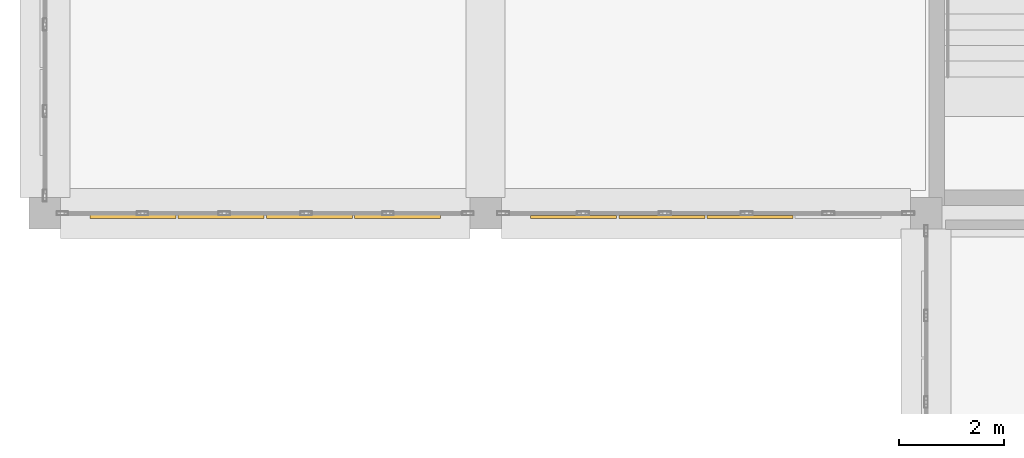
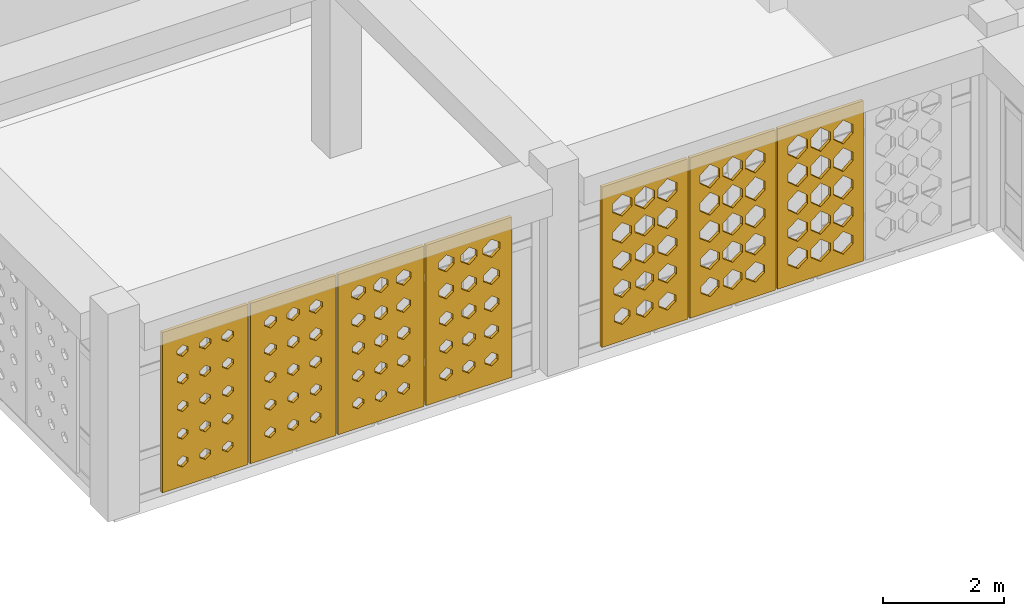
# One storey, part 34 of 48: 7 coverings.
"""IFC4 building model written with IfcOpenShell, lengths in metres."""

from ifc_helpers import new_model, si_unit, derived_unit, direction, frame, origin, place, context, subcontext, project, spatial, polyline, outline, extrude, material, layer, layer_set, type_object, element, save


model = new_model("IFC4")

# Units and contexts
model_context = context("Model", 3, precision=1e-05, world=origin(), true_north=direction((0.0, 1.0)))
body_context = subcontext(model_context, "Body", "Model", "MODEL_VIEW")
ifc_project = project(units=[si_unit("LENGTHUNIT", "METRE"), si_unit("AREAUNIT", "SQUARE_METRE"), si_unit("VOLUMEUNIT", "CUBIC_METRE"), si_unit("PLANEANGLEUNIT", "RADIAN"), si_unit("MASSUNIT", "GRAM", prefix="KILO"), derived_unit("THERMALTRANSMITTANCEUNIT", [(si_unit("POWERUNIT", "WATT"), 1), (si_unit("LENGTHUNIT", "METRE"), -2), (si_unit("THERMODYNAMICTEMPERATUREUNIT", "KELVIN"), -1)])], contexts=[model_context])

# Site, building, storey
site_placement = place(None, origin())
site = spatial("IfcSite", under=ifc_project, at=site_placement, CompositionType="ELEMENT")
building_placement = place(site_placement, origin())
building = spatial("IfcBuilding", under=site, at=building_placement, Name="Veybourne Emporium", CompositionType="ELEMENT")
storey_placement = place(building_placement, frame((0.0, 0.0, 27.89990234375)))
storey = spatial("IfcBuildingStorey", under=building, at=storey_placement, Name="L06", CompositionType="ELEMENT", Elevation=27.89990234375)

# Coverings
ifc_material = material(Name="Warm-White Perforated Aluminium Screen Alloy", Category="aluminium")
ifc_layer_1 = layer(ifc_material, 0.06005859375)
ifc_layer_set_1 = layer_set([ifc_layer_1], Name="Warm-White Perforated Aluminium Screen Alloy")
covering_type_1 = type_object("IfcCoveringType", Name="WaveScreen_SCR-01", PredefinedType="CLADDING", material=ifc_layer_set_1)
covering_1_placement = place(storey_placement, frame((6.719970703125, 14.305908203125, 1.68017578125), z_axis=(0.0, 1.0, 0.0), x_axis=(-1.0, 0.0, 0.0)))
element("IfcCovering", 1, at=covering_1_placement, inside=storey, type_object=covering_type_1, Name="L06 wave-perforated aluminium screen SCR-01 (1C.1)", PredefinedType="CLADDING", context=body_context, shape_type="SweptSolid", body=[
    extrude(outline(polyline([(-0.81982421875, -1.6201171875), (0.81982421875, -1.6201171875), (0.81982421875, 1.6201171875), (-0.81982421875, 1.6201171875), (-0.81982421875, -1.6201171875)]), holes=[polyline([(-0.433349609375, -0.982421875), (-0.310791015625, -1.070556640625), (-0.310791015625, -1.16943359375), (-0.433349609375, -1.257568359375), (-0.555908203125, -1.16943359375), (-0.555908203125, -1.070556640625), (-0.433349609375, -0.982421875)]), polyline([(-0.433349609375, -0.412109375), (-0.302490234375, -0.5068359375), (-0.302490234375, -0.61328125), (-0.433349609375, -0.707763671875), (-0.564208984375, -0.61328125), (-0.564208984375, -0.5068359375), (-0.433349609375, -0.412109375)]), polyline([(-0.433349609375, 0.1591796875), (-0.293212890625, 0.057373046875), (-0.293212890625, -0.057373046875), (-0.433349609375, -0.1591796875), (-0.573486328125, -0.057373046875), (-0.573486328125, 0.057373046875), (-0.433349609375, 0.1591796875)]), polyline([(-0.433349609375, 0.7314453125), (-0.283203125, 0.62158203125), (-0.283203125, 0.498291015625), (-0.433349609375, 0.388671875), (-0.58349609375, 0.498291015625), (-0.58349609375, 0.62158203125), (-0.433349609375, 0.7314453125)]), polyline([(-0.433349609375, 1.30419921875), (-0.272705078125, 1.186279296875), (-0.272705078125, 1.0537109375), (-0.433349609375, 0.935791015625), (-0.593994140625, 1.0537109375), (-0.593994140625, 1.186279296875), (-0.433349609375, 1.30419921875)]), polyline([(0.0, -0.987060546875), (0.11865234375, -1.072265625), (0.11865234375, -1.167724609375), (0.0, -1.2529296875), (-0.11865234375, -1.167724609375), (-0.11865234375, -1.072265625), (0.0, -0.987060546875)]), polyline([(0.0, -0.41748046875), (0.126708984375, -0.5087890625), (0.126708984375, -0.611328125), (0.0, -0.702392578125), (-0.126708984375, -0.611328125), (-0.126708984375, -0.5087890625), (0.0, -0.41748046875)]), polyline([(0.0, 0.1533203125), (0.135498046875, 0.05517578125), (0.135498046875, -0.05517578125), (0.0, -0.1533203125), (-0.135498046875, -0.05517578125), (-0.135498046875, 0.05517578125), (0.0, 0.1533203125)]), polyline([(0.0, 0.72509765625), (0.145263671875, 0.619384765625), (0.145263671875, 0.50048828125), (0.0, 0.394775390625), (-0.145263671875, 0.50048828125), (-0.145263671875, 0.619384765625), (0.0, 0.72509765625)]), polyline([(0.0, 1.297607421875), (0.155517578125, 1.18408203125), (0.155517578125, 1.055908203125), (0.0, 0.9423828125), (-0.155517578125, 1.055908203125), (-0.155517578125, 1.18408203125), (0.0, 1.297607421875)]), polyline([(0.433349609375, -0.991455078125), (0.548583984375, -1.07373046875), (0.548583984375, -1.166259765625), (0.433349609375, -1.24853515625), (0.318115234375, -1.166259765625), (0.318115234375, -1.07373046875), (0.433349609375, -0.991455078125)]), polyline([(0.433349609375, -0.42236328125), (0.555908203125, -0.510498046875), (0.555908203125, -0.609619140625), (0.433349609375, -0.697509765625), (0.310791015625, -0.609619140625), (0.310791015625, -0.510498046875), (0.433349609375, -0.42236328125)]), polyline([(0.433349609375, 0.147705078125), (0.564208984375, 0.05322265625), (0.564208984375, -0.05322265625), (0.433349609375, -0.147705078125), (0.302490234375, -0.05322265625), (0.302490234375, 0.05322265625), (0.433349609375, 0.147705078125)]), polyline([(0.433349609375, 0.71923828125), (0.573486328125, 0.6171875), (0.573486328125, 0.502685546875), (0.433349609375, 0.40087890625), (0.293212890625, 0.502685546875), (0.293212890625, 0.6171875), (0.433349609375, 0.71923828125)]), polyline([(0.433349609375, 1.29150390625), (0.58349609375, 1.181640625), (0.58349609375, 1.058349609375), (0.433349609375, 0.948486328125), (0.283203125, 1.058349609375), (0.283203125, 1.181640625), (0.433349609375, 1.29150390625)])]), origin(), (0.0, 0.0, 1.0), 0.06005859375),
])
covering_2_placement = place(storey_placement, frame((13.43994140625, 14.302978515625, 1.68017578125), z_axis=(0.0, 1.0, 0.0), x_axis=(-1.0, 0.0, 0.0)))
element("IfcCovering", 2, at=covering_2_placement, inside=storey, type_object=covering_type_1, Name="L06 wave-perforated aluminium screen SCR-01 (8C.2)", PredefinedType="CLADDING", context=body_context, shape_type="SweptSolid", body=[
    extrude(outline(polyline([(-0.81982421875, -1.6201171875), (0.81982421875, -1.6201171875), (0.81982421875, 1.6201171875), (-0.81982421875, 1.6201171875), (-0.81982421875, -1.6201171875)]), holes=[polyline([(-0.433349609375, -0.889404296875), (-0.2470703125, -1.037109375), (-0.2470703125, -1.202880859375), (-0.433349609375, -1.3505859375), (-0.61962890625, -1.202880859375), (-0.61962890625, -1.037109375), (-0.433349609375, -0.889404296875)]), polyline([(-0.433349609375, -0.319091796875), (-0.2470703125, -0.473388671875), (-0.2470703125, -0.646728515625), (-0.433349609375, -0.80078125), (-0.61962890625, -0.646728515625), (-0.61962890625, -0.473388671875), (-0.433349609375, -0.319091796875)]), polyline([(-0.433349609375, 0.24072265625), (-0.2470703125, 0.086669921875), (-0.2470703125, -0.086669921875), (-0.433349609375, -0.24072265625), (-0.61962890625, -0.086669921875), (-0.61962890625, 0.086669921875), (-0.433349609375, 0.24072265625)]), polyline([(-0.433349609375, 0.80078125), (-0.2470703125, 0.646728515625), (-0.2470703125, 0.473388671875), (-0.433349609375, 0.319091796875), (-0.61962890625, 0.473388671875), (-0.61962890625, 0.646728515625), (-0.433349609375, 0.80078125)]), polyline([(-0.433349609375, 1.36083984375), (-0.2470703125, 1.206787109375), (-0.2470703125, 1.033203125), (-0.433349609375, 0.879150390625), (-0.61962890625, 1.033203125), (-0.61962890625, 1.206787109375), (-0.433349609375, 1.36083984375)]), polyline([(0.0, -0.895263671875), (0.186279296875, -1.0390625), (0.186279296875, -1.200927734375), (0.0, -1.3447265625), (-0.186279296875, -1.200927734375), (-0.186279296875, -1.0390625), (0.0, -0.895263671875)]), polyline([(0.0, -0.32373046875), (0.186279296875, -0.47509765625), (0.186279296875, -0.64501953125), (0.0, -0.796142578125), (-0.186279296875, -0.64501953125), (-0.186279296875, -0.47509765625), (0.0, -0.32373046875)]), polyline([(0.0, 0.24072265625), (0.186279296875, 0.086669921875), (0.186279296875, -0.086669921875), (0.0, -0.24072265625), (-0.186279296875, -0.086669921875), (-0.186279296875, 0.086669921875), (0.0, 0.24072265625)]), polyline([(0.0, 0.80078125), (0.186279296875, 0.646728515625), (0.186279296875, 0.473388671875), (0.0, 0.319091796875), (-0.186279296875, 0.473388671875), (-0.186279296875, 0.646728515625), (0.0, 0.80078125)]), polyline([(0.0, 1.36083984375), (0.186279296875, 1.206787109375), (0.186279296875, 1.033203125), (0.0, 0.879150390625), (-0.186279296875, 1.033203125), (-0.186279296875, 1.206787109375), (0.0, 1.36083984375)]), polyline([(0.433349609375, -0.9013671875), (0.61962890625, -1.041259765625), (0.61962890625, -1.19873046875), (0.433349609375, -1.338623046875), (0.2470703125, -1.19873046875), (0.2470703125, -1.041259765625), (0.433349609375, -0.9013671875)]), polyline([(0.433349609375, -0.329345703125), (0.61962890625, -0.47705078125), (0.61962890625, -0.64306640625), (0.433349609375, -0.79052734375), (0.2470703125, -0.64306640625), (0.2470703125, -0.47705078125), (0.433349609375, -0.329345703125)]), polyline([(0.433349609375, 0.24072265625), (0.61962890625, 0.086669921875), (0.61962890625, -0.086669921875), (0.433349609375, -0.24072265625), (0.2470703125, -0.086669921875), (0.2470703125, 0.086669921875), (0.433349609375, 0.24072265625)]), polyline([(0.433349609375, 0.80078125), (0.61962890625, 0.646728515625), (0.61962890625, 0.473388671875), (0.433349609375, 0.319091796875), (0.2470703125, 0.473388671875), (0.2470703125, 0.646728515625), (0.433349609375, 0.80078125)]), polyline([(0.433349609375, 1.36083984375), (0.61962890625, 1.206787109375), (0.61962890625, 1.033203125), (0.433349609375, 0.879150390625), (0.2470703125, 1.033203125), (0.2470703125, 1.206787109375), (0.433349609375, 1.36083984375)])]), origin(), (0.0, 0.0, 1.0), 0.06005859375),
])
ifc_layer_2 = layer(ifc_material, 0.06005859375)
ifc_layer_set_2 = layer_set([ifc_layer_2], Name="Warm-White Perforated Aluminium Screen Alloy")
covering_type_2 = type_object("IfcCoveringType", Name="WaveScreen_SCR-02", PredefinedType="CLADDING", material=ifc_layer_set_2)
covering_3_placement = place(storey_placement, frame((5.0400390625, 14.305908203125, 1.68017578125), z_axis=(0.0, 1.0, 0.0), x_axis=(-1.0, 0.0, 0.0)))
element("IfcCovering", 3, at=covering_3_placement, inside=storey, type_object=covering_type_2, Name="L06 wave-perforated aluminium screen SCR-02 (1C.2)", PredefinedType="CLADDING", context=body_context, shape_type="SweptSolid", body=[
    extrude(outline(polyline([(-0.81982421875, -1.6201171875), (0.81982421875, -1.6201171875), (0.81982421875, 1.6201171875), (-0.81982421875, 1.6201171875), (-0.81982421875, -1.6201171875)]), holes=[polyline([(-0.433349609375, -0.998291015625), (-0.32373046875, -1.076171875), (-0.32373046875, -1.163818359375), (-0.433349609375, -1.24169921875), (-0.54296875, -1.163818359375), (-0.54296875, -1.076171875), (-0.433349609375, -0.998291015625)]), polyline([(-0.433349609375, -0.430908203125), (-0.317626953125, -0.513427734375), (-0.317626953125, -0.6064453125), (-0.433349609375, -0.689208984375), (-0.549072265625, -0.6064453125), (-0.549072265625, -0.513427734375), (-0.433349609375, -0.430908203125)]), polyline([(-0.433349609375, 0.13818359375), (-0.310302734375, 0.0498046875), (-0.310302734375, -0.0498046875), (-0.433349609375, -0.13818359375), (-0.556396484375, -0.0498046875), (-0.556396484375, 0.0498046875), (-0.433349609375, 0.13818359375)]), polyline([(-0.433349609375, 0.70849609375), (-0.3017578125, 0.613525390625), (-0.3017578125, 0.506591796875), (-0.433349609375, 0.411376953125), (-0.56494140625, 0.506591796875), (-0.56494140625, 0.613525390625), (-0.433349609375, 0.70849609375)]), polyline([(-0.433349609375, 1.280029296875), (-0.29248046875, 1.177490234375), (-0.29248046875, 1.0625), (-0.433349609375, 0.9599609375), (-0.57421875, 1.0625), (-0.57421875, 1.177490234375), (-0.433349609375, 1.280029296875)]), polyline([(0.0, -1.00146484375), (0.10693359375, -1.077392578125), (0.10693359375, -1.16259765625), (0.0, -1.238525390625), (-0.10693359375, -1.16259765625), (-0.10693359375, -1.077392578125), (0.0, -1.00146484375)]), polyline([(0.0, -0.434814453125), (0.112548828125, -0.514892578125), (0.112548828125, -0.60498046875), (0.0, -0.685302734375), (-0.112548828125, -0.60498046875), (-0.112548828125, -0.514892578125), (0.0, -0.434814453125)]), polyline([(0.0, 0.133544921875), (0.119384765625, 0.048095703125), (0.119384765625, -0.048095703125), (0.0, -0.133544921875), (-0.119384765625, -0.048095703125), (-0.119384765625, 0.048095703125), (0.0, 0.133544921875)]), polyline([(0.0, 0.703369140625), (0.127197265625, 0.611572265625), (0.127197265625, 0.50830078125), (0.0, 0.416748046875), (-0.127197265625, 0.50830078125), (-0.127197265625, 0.611572265625), (0.0, 0.703369140625)]), polyline([(0.0, 1.274169921875), (0.13623046875, 1.175537109375), (0.13623046875, 1.064453125), (0.0, 0.9658203125), (-0.13623046875, 1.064453125), (-0.13623046875, 1.175537109375), (0.0, 1.274169921875)]), polyline([(0.433349609375, -1.00390625), (0.5380859375, -1.078125), (0.5380859375, -1.161865234375), (0.433349609375, -1.236083984375), (0.328369140625, -1.161865234375), (0.328369140625, -1.078125), (0.433349609375, -1.00390625)]), polyline([(0.433349609375, -0.438232421875), (0.54296875, -0.51611328125), (0.54296875, -0.603759765625), (0.433349609375, -0.681640625), (0.32373046875, -0.603759765625), (0.32373046875, -0.51611328125), (0.433349609375, -0.438232421875)]), polyline([(0.433349609375, 0.129150390625), (0.549072265625, 0.04638671875), (0.549072265625, -0.04638671875), (0.433349609375, -0.129150390625), (0.317626953125, -0.04638671875), (0.317626953125, 0.04638671875), (0.433349609375, 0.129150390625)]), polyline([(0.433349609375, 0.6982421875), (0.556396484375, 0.60986328125), (0.556396484375, 0.51025390625), (0.433349609375, 0.421630859375), (0.310302734375, 0.51025390625), (0.310302734375, 0.60986328125), (0.433349609375, 0.6982421875)]), polyline([(0.433349609375, 1.2685546875), (0.56494140625, 1.173583984375), (0.56494140625, 1.06640625), (0.433349609375, 0.971435546875), (0.3017578125, 1.06640625), (0.3017578125, 1.173583984375), (0.433349609375, 1.2685546875)])]), origin(), (0.0, 0.0, 1.0), 0.06005859375),
])
covering_4_placement = place(storey_placement, frame((11.760009765625, 14.302978515625, 1.68017578125), z_axis=(0.0, 1.0, 0.0), x_axis=(-1.0, 0.0, 0.0)))
element("IfcCovering", 4, at=covering_4_placement, inside=storey, type_object=covering_type_2, Name="L06 wave-perforated aluminium screen SCR-02 (8C.3)", PredefinedType="CLADDING", context=body_context, shape_type="SweptSolid", body=[
    extrude(outline(polyline([(-0.81982421875, -1.6201171875), (0.81982421875, -1.6201171875), (0.81982421875, 1.6201171875), (-0.81982421875, 1.6201171875), (-0.81982421875, -1.6201171875)]), holes=[polyline([(-0.433349609375, -0.9130859375), (-0.25390625, -1.04541015625), (-0.25390625, -1.194580078125), (-0.433349609375, -1.326904296875), (-0.61279296875, -1.194580078125), (-0.61279296875, -1.04541015625), (-0.433349609375, -0.9130859375)]), polyline([(-0.433349609375, -0.340576171875), (-0.2470703125, -0.48095703125), (-0.2470703125, -0.638916015625), (-0.433349609375, -0.779541015625), (-0.61962890625, -0.638916015625), (-0.61962890625, -0.48095703125), (-0.433349609375, -0.340576171875)]), polyline([(-0.433349609375, 0.2314453125), (-0.2470703125, 0.083251953125), (-0.2470703125, -0.083251953125), (-0.433349609375, -0.2314453125), (-0.61962890625, -0.083251953125), (-0.61962890625, 0.083251953125), (-0.433349609375, 0.2314453125)]), polyline([(-0.433349609375, 0.80078125), (-0.2470703125, 0.646728515625), (-0.2470703125, 0.473388671875), (-0.433349609375, 0.319091796875), (-0.61962890625, 0.473388671875), (-0.61962890625, 0.646728515625), (-0.433349609375, 0.80078125)]), polyline([(-0.433349609375, 1.36083984375), (-0.2470703125, 1.206787109375), (-0.2470703125, 1.033203125), (-0.433349609375, 0.879150390625), (-0.61962890625, 1.033203125), (-0.61962890625, 1.206787109375), (-0.433349609375, 1.36083984375)]), polyline([(0.0, -0.919189453125), (0.17431640625, -1.0478515625), (0.17431640625, -1.192138671875), (0.0, -1.32080078125), (-0.17431640625, -1.192138671875), (-0.17431640625, -1.0478515625), (0.0, -0.919189453125)]), polyline([(0.0, -0.3466796875), (0.1845703125, -0.483154296875), (0.1845703125, -0.63671875), (0.0, -0.7734375), (-0.1845703125, -0.63671875), (-0.1845703125, -0.483154296875), (0.0, -0.3466796875)]), polyline([(0.0, 0.2255859375), (0.186279296875, 0.081298828125), (0.186279296875, -0.081298828125), (0.0, -0.2255859375), (-0.186279296875, -0.081298828125), (-0.186279296875, 0.081298828125), (0.0, 0.2255859375)]), polyline([(0.0, 0.797119140625), (0.186279296875, 0.645263671875), (0.186279296875, 0.474609375), (0.0, 0.322998046875), (-0.186279296875, 0.474609375), (-0.186279296875, 0.645263671875), (0.0, 0.797119140625)]), polyline([(0.0, 1.36083984375), (0.186279296875, 1.206787109375), (0.186279296875, 1.033203125), (0.0, 0.879150390625), (-0.186279296875, 1.033203125), (-0.186279296875, 1.206787109375), (0.0, 1.36083984375)]), polyline([(0.433349609375, -0.92578125), (0.602294921875, -1.050048828125), (0.602294921875, -1.18994140625), (0.433349609375, -1.314208984375), (0.264404296875, -1.18994140625), (0.264404296875, -1.050048828125), (0.433349609375, -0.92578125)]), polyline([(0.433349609375, -0.352783203125), (0.61279296875, -0.4853515625), (0.61279296875, -0.634521484375), (0.433349609375, -0.76708984375), (0.25390625, -0.634521484375), (0.25390625, -0.4853515625), (0.433349609375, -0.352783203125)]), polyline([(0.433349609375, 0.219482421875), (0.61962890625, 0.0791015625), (0.61962890625, -0.0791015625), (0.433349609375, -0.219482421875), (0.2470703125, -0.0791015625), (0.2470703125, 0.0791015625), (0.433349609375, 0.219482421875)]), polyline([(0.433349609375, 0.79150390625), (0.61962890625, 0.643310546875), (0.61962890625, 0.476806640625), (0.433349609375, 0.32861328125), (0.2470703125, 0.476806640625), (0.2470703125, 0.643310546875), (0.433349609375, 0.79150390625)]), polyline([(0.433349609375, 1.36083984375), (0.61962890625, 1.206787109375), (0.61962890625, 1.033203125), (0.433349609375, 0.879150390625), (0.2470703125, 1.033203125), (0.2470703125, 1.206787109375), (0.433349609375, 1.36083984375)])]), origin(), (0.0, 0.0, 1.0), 0.06005859375),
])
ifc_layer_3 = layer(ifc_material, 0.06005859375)
ifc_layer_set_3 = layer_set([ifc_layer_3], Name="Warm-White Perforated Aluminium Screen Alloy")
covering_type_3 = type_object("IfcCoveringType", Name="WaveScreen_SCR-03", PredefinedType="CLADDING", material=ifc_layer_set_3)
covering_5_placement = place(storey_placement, frame((3.360107421875, 14.305908203125, 1.68017578125), z_axis=(0.0, 1.0, 0.0), x_axis=(-1.0, 0.0, 0.0)))
element("IfcCovering", 5, at=covering_5_placement, inside=storey, type_object=covering_type_3, Name="L06 wave-perforated aluminium screen SCR-03 (1C.3)", PredefinedType="CLADDING", context=body_context, shape_type="SweptSolid", body=[
    extrude(outline(polyline([(-0.81982421875, -1.6201171875), (0.81982421875, -1.6201171875), (0.81982421875, 1.6201171875), (-0.81982421875, 1.6201171875), (-0.81982421875, -1.6201171875)]), holes=[polyline([(-0.433349609375, -1.0078125), (-0.33154296875, -1.07958984375), (-0.33154296875, -1.160400390625), (-0.433349609375, -1.232421875), (-0.53515625, -1.160400390625), (-0.53515625, -1.07958984375), (-0.433349609375, -1.0078125)]), polyline([(-0.433349609375, -0.443603515625), (-0.328125, -0.51806640625), (-0.328125, -0.601806640625), (-0.433349609375, -0.67626953125), (-0.53857421875, -0.601806640625), (-0.53857421875, -0.51806640625), (-0.433349609375, -0.443603515625)]), polyline([(-0.433349609375, 0.122314453125), (-0.323486328125, 0.0439453125), (-0.323486328125, -0.0439453125), (-0.433349609375, -0.122314453125), (-0.543212890625, -0.0439453125), (-0.543212890625, 0.0439453125), (-0.433349609375, 0.122314453125)]), polyline([(-0.433349609375, 0.689697265625), (-0.317138671875, 0.606689453125), (-0.317138671875, 0.51318359375), (-0.433349609375, 0.43017578125), (-0.549560546875, 0.51318359375), (-0.549560546875, 0.606689453125), (-0.433349609375, 0.689697265625)]), polyline([(-0.433349609375, 1.2587890625), (-0.309814453125, 1.169921875), (-0.309814453125, 1.070068359375), (-0.433349609375, 0.981201171875), (-0.556884765625, 1.070068359375), (-0.556884765625, 1.169921875), (-0.433349609375, 1.2587890625)]), polyline([(0.0, -1.009033203125), (0.100830078125, -1.080078125), (0.100830078125, -1.159912109375), (0.0, -1.23095703125), (-0.100830078125, -1.159912109375), (-0.100830078125, -1.080078125), (0.0, -1.009033203125)]), polyline([(0.0, -0.44580078125), (0.103271484375, -0.518798828125), (0.103271484375, -0.60107421875), (0.0, -0.674072265625), (-0.103271484375, -0.60107421875), (-0.103271484375, -0.518798828125), (0.0, -0.44580078125)]), polyline([(0.0, 0.118896484375), (0.107421875, 0.042724609375), (0.107421875, -0.042724609375), (0.0, -0.118896484375), (-0.107421875, -0.042724609375), (-0.107421875, 0.042724609375), (0.0, 0.118896484375)]), polyline([(0.0, 0.685791015625), (0.11279296875, 0.605224609375), (0.11279296875, 0.5146484375), (0.0, 0.43408203125), (-0.11279296875, 0.5146484375), (-0.11279296875, 0.605224609375), (0.0, 0.685791015625)]), polyline([(0.0, 1.254150390625), (0.119873046875, 1.168212890625), (0.119873046875, 1.07177734375), (0.0, 0.98583984375), (-0.119873046875, 1.07177734375), (-0.119873046875, 1.168212890625), (0.0, 1.254150390625)]), polyline([(0.433349609375, -1.009765625), (0.53369140625, -1.080322265625), (0.53369140625, -1.15966796875), (0.433349609375, -1.230224609375), (0.3330078125, -1.15966796875), (0.3330078125, -1.080322265625), (0.433349609375, -1.009765625)]), polyline([(0.433349609375, -0.44775390625), (0.53515625, -0.51953125), (0.53515625, -0.600341796875), (0.433349609375, -0.67236328125), (0.331298828125, -0.600341796875), (0.331298828125, -0.51953125), (0.433349609375, -0.44775390625)]), polyline([(0.433349609375, 0.1162109375), (0.53857421875, 0.0419921875), (0.53857421875, -0.0419921875), (0.433349609375, -0.1162109375), (0.328125, -0.0419921875), (0.328125, 0.0419921875), (0.433349609375, 0.1162109375)]), polyline([(0.433349609375, 0.68212890625), (0.543212890625, 0.60400390625), (0.543212890625, 0.51611328125), (0.433349609375, 0.437744140625), (0.3232421875, 0.51611328125), (0.3232421875, 0.60400390625), (0.433349609375, 0.68212890625)]), polyline([(0.433349609375, 1.249755859375), (0.549560546875, 1.166748046875), (0.549560546875, 1.0732421875), (0.433349609375, 0.990234375), (0.317138671875, 1.0732421875), (0.317138671875, 1.166748046875), (0.433349609375, 1.249755859375)])]), origin(), (0.0, 0.0, 1.0), 0.06005859375),
])
covering_6_placement = place(storey_placement, frame((10.080078125, 14.302978515625, 1.68017578125), z_axis=(0.0, 1.0, 0.0), x_axis=(-1.0, 0.0, 0.0)))
element("IfcCovering", 6, at=covering_6_placement, inside=storey, type_object=covering_type_3, Name="L06 wave-perforated aluminium screen SCR-03 (8C.4)", PredefinedType="CLADDING", context=body_context, shape_type="SweptSolid", body=[
    extrude(outline(polyline([(-0.81982421875, -1.6201171875), (0.81982421875, -1.6201171875), (0.81982421875, 1.6201171875), (-0.81982421875, 1.6201171875), (-0.81982421875, -1.6201171875)]), holes=[polyline([(-0.433349609375, -0.937744140625), (-0.2744140625, -1.054443359375), (-0.2744140625, -1.185546875), (-0.433349609375, -1.30224609375), (-0.59228515625, -1.185546875), (-0.59228515625, -1.054443359375), (-0.433349609375, -0.937744140625)]), polyline([(-0.433349609375, -0.364990234375), (-0.263671875, -0.48974609375), (-0.263671875, -0.630126953125), (-0.433349609375, -0.755126953125), (-0.60302734375, -0.630126953125), (-0.60302734375, -0.48974609375), (-0.433349609375, -0.364990234375)]), polyline([(-0.433349609375, 0.2080078125), (-0.253173828125, 0.074951171875), (-0.253173828125, -0.074951171875), (-0.433349609375, -0.2080078125), (-0.613525390625, -0.074951171875), (-0.613525390625, 0.074951171875), (-0.433349609375, 0.2080078125)]), polyline([(-0.433349609375, 0.780517578125), (-0.2470703125, 0.639404296875), (-0.2470703125, 0.480712890625), (-0.433349609375, 0.339599609375), (-0.61962890625, 0.480712890625), (-0.61962890625, 0.639404296875), (-0.433349609375, 0.780517578125)]), polyline([(-0.433349609375, 1.352294921875), (-0.2470703125, 1.20361328125), (-0.2470703125, 1.036376953125), (-0.433349609375, 0.8876953125), (-0.61962890625, 1.036376953125), (-0.61962890625, 1.20361328125), (-0.433349609375, 1.352294921875)]), polyline([(0.0, -0.944091796875), (0.15380859375, -1.056640625), (0.15380859375, -1.183349609375), (0.0, -1.2958984375), (-0.15380859375, -1.183349609375), (-0.15380859375, -1.056640625), (0.0, -0.944091796875)]), polyline([(0.0, -0.371337890625), (0.164306640625, -0.4921875), (0.164306640625, -0.6279296875), (0.0, -0.748779296875), (-0.164306640625, -0.6279296875), (-0.164306640625, -0.4921875), (0.0, -0.371337890625)]), polyline([(0.0, 0.20166015625), (0.1748046875, 0.072509765625), (0.1748046875, -0.072509765625), (0.0, -0.20166015625), (-0.1748046875, -0.072509765625), (-0.1748046875, 0.072509765625), (0.0, 0.20166015625)]), polyline([(0.0, 0.7744140625), (0.185302734375, 0.63720703125), (0.185302734375, 0.48291015625), (0.0, 0.345703125), (-0.185302734375, 0.48291015625), (-0.185302734375, 0.63720703125), (0.0, 0.7744140625)]), polyline([(0.0, 1.346435546875), (0.186279296875, 1.201416015625), (0.186279296875, 1.03857421875), (0.0, 0.8935546875), (-0.186279296875, 1.03857421875), (-0.186279296875, 1.201416015625), (0.0, 1.346435546875)]), polyline([(0.433349609375, -0.950439453125), (0.58203125, -1.058837890625), (0.58203125, -1.18115234375), (0.433349609375, -1.28955078125), (0.28466796875, -1.18115234375), (0.28466796875, -1.058837890625), (0.433349609375, -0.950439453125)]), polyline([(0.433349609375, -0.377685546875), (0.592529296875, -0.494384765625), (0.592529296875, -0.62548828125), (0.433349609375, -0.7421875), (0.274169921875, -0.62548828125), (0.274169921875, -0.494384765625), (0.433349609375, -0.377685546875)]), polyline([(0.433349609375, 0.1953125), (0.60302734375, 0.0703125), (0.60302734375, -0.0703125), (0.433349609375, -0.1953125), (0.263671875, -0.0703125), (0.263671875, 0.0703125), (0.433349609375, 0.1953125)]), polyline([(0.433349609375, 0.76806640625), (0.613525390625, 0.635009765625), (0.613525390625, 0.485107421875), (0.433349609375, 0.35205078125), (0.253173828125, 0.485107421875), (0.253173828125, 0.635009765625), (0.433349609375, 0.76806640625)]), polyline([(0.433349609375, 1.340576171875), (0.61962890625, 1.199462890625), (0.61962890625, 1.04052734375), (0.433349609375, 0.8994140625), (0.2470703125, 1.04052734375), (0.2470703125, 1.199462890625), (0.433349609375, 1.340576171875)])]), origin(), (0.0, 0.0, 1.0), 0.06005859375),
])
ifc_layer_4 = layer(ifc_material, 0.06005859375)
ifc_layer_set_4 = layer_set([ifc_layer_4], Name="Warm-White Perforated Aluminium Screen Alloy")
covering_type_4 = type_object("IfcCoveringType", Name="WaveScreen_SCR-04", PredefinedType="CLADDING", material=ifc_layer_set_4)
covering_7_placement = place(storey_placement, frame((1.679931640625, 14.305908203125, 1.68017578125), z_axis=(0.0, 1.0, 0.0), x_axis=(-1.0, 0.0, 0.0)))
element("IfcCovering", 7, at=covering_7_placement, inside=storey, type_object=covering_type_4, Name="L06 wave-perforated aluminium screen SCR-04 (1C.4)", PredefinedType="CLADDING", context=body_context, shape_type="SweptSolid", body=[
    extrude(outline(polyline([(-0.81982421875, -1.6201171875), (0.81982421875, -1.6201171875), (0.81982421875, 1.6201171875), (-0.81982421875, 1.6201171875), (-0.81982421875, -1.6201171875)]), holes=[polyline([(-0.433349609375, -1.009765625), (-0.333251953125, -1.080322265625), (-0.333251953125, -1.15966796875), (-0.433349609375, -1.230224609375), (-0.533447265625, -1.15966796875), (-0.533447265625, -1.080322265625), (-0.433349609375, -1.009765625)]), polyline([(-0.433349609375, -0.44970703125), (-0.3330078125, -0.520263671875), (-0.3330078125, -0.599609375), (-0.433349609375, -0.67041015625), (-0.53369140625, -0.599609375), (-0.53369140625, -0.520263671875), (-0.433349609375, -0.44970703125)]), polyline([(-0.433349609375, 0.112548828125), (-0.331298828125, 0.04052734375), (-0.331298828125, -0.04052734375), (-0.433349609375, -0.112548828125), (-0.535400390625, -0.04052734375), (-0.535400390625, 0.04052734375), (-0.433349609375, 0.112548828125)]), polyline([(-0.433349609375, 0.6767578125), (-0.327880859375, 0.60205078125), (-0.327880859375, 0.51806640625), (-0.433349609375, 0.443359375), (-0.538818359375, 0.51806640625), (-0.538818359375, 0.60205078125), (-0.433349609375, 0.6767578125)]), polyline([(-0.433349609375, 1.24267578125), (-0.322998046875, 1.164306640625), (-0.322998046875, 1.07568359375), (-0.433349609375, 0.997314453125), (-0.543701171875, 1.07568359375), (-0.543701171875, 1.164306640625), (-0.433349609375, 1.24267578125)]), polyline([(0.0, -1.009033203125), (0.1005859375, -1.080078125), (0.1005859375, -1.159912109375), (0.0, -1.23095703125), (-0.1005859375, -1.159912109375), (-0.1005859375, -1.080078125), (0.0, -1.009033203125)]), polyline([(0.0, -0.449951171875), (0.10009765625, -0.5205078125), (0.10009765625, -0.599609375), (0.0, -0.669921875), (-0.10009765625, -0.599609375), (-0.10009765625, -0.5205078125), (0.0, -0.449951171875)]), polyline([(0.0, 0.111083984375), (0.10107421875, 0.0400390625), (0.10107421875, -0.0400390625), (0.0, -0.111083984375), (-0.10107421875, -0.0400390625), (-0.10107421875, 0.0400390625), (0.0, 0.111083984375)]), polyline([(0.0, 0.67431640625), (0.103515625, 0.601318359375), (0.103515625, 0.518798828125), (0.0, 0.445556640625), (-0.103515625, 0.518798828125), (-0.103515625, 0.601318359375), (0.0, 0.67431640625)]), polyline([(0.0, 1.239501953125), (0.107666015625, 1.1630859375), (0.107666015625, 1.076904296875), (0.0, 1.00048828125), (-0.107666015625, 1.076904296875), (-0.107666015625, 1.1630859375), (0.0, 1.239501953125)]), polyline([(0.433349609375, -1.008056640625), (0.534912109375, -1.07958984375), (0.534912109375, -1.160400390625), (0.433349609375, -1.23193359375), (0.331787109375, -1.160400390625), (0.331787109375, -1.07958984375), (0.433349609375, -1.008056640625)]), polyline([(0.433349609375, -0.44970703125), (0.533447265625, -0.520263671875), (0.533447265625, -0.599609375), (0.433349609375, -0.670166015625), (0.333251953125, -0.599609375), (0.333251953125, -0.520263671875), (0.433349609375, -0.44970703125)]), polyline([(0.433349609375, 0.1103515625), (0.53369140625, 0.039794921875), (0.53369140625, -0.039794921875), (0.433349609375, -0.1103515625), (0.3330078125, -0.039794921875), (0.3330078125, 0.039794921875), (0.433349609375, 0.1103515625)]), polyline([(0.433349609375, 0.672607421875), (0.535400390625, 0.6005859375), (0.535400390625, 0.51953125), (0.433349609375, 0.447509765625), (0.331298828125, 0.51953125), (0.331298828125, 0.6005859375), (0.433349609375, 0.672607421875)]), polyline([(0.433349609375, 1.23681640625), (0.538818359375, 1.162109375), (0.538818359375, 1.077880859375), (0.433349609375, 1.00341796875), (0.327880859375, 1.077880859375), (0.327880859375, 1.162109375), (0.433349609375, 1.23681640625)])]), origin(), (0.0, 0.0, 1.0), 0.06005859375),
])

save(model, "model.ifc")
